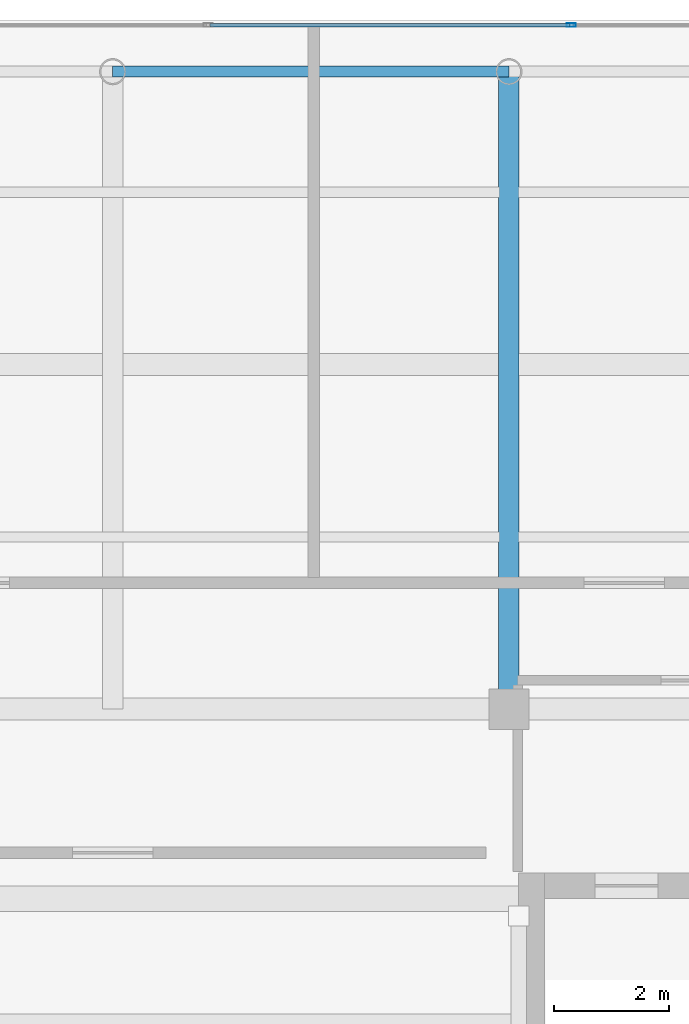
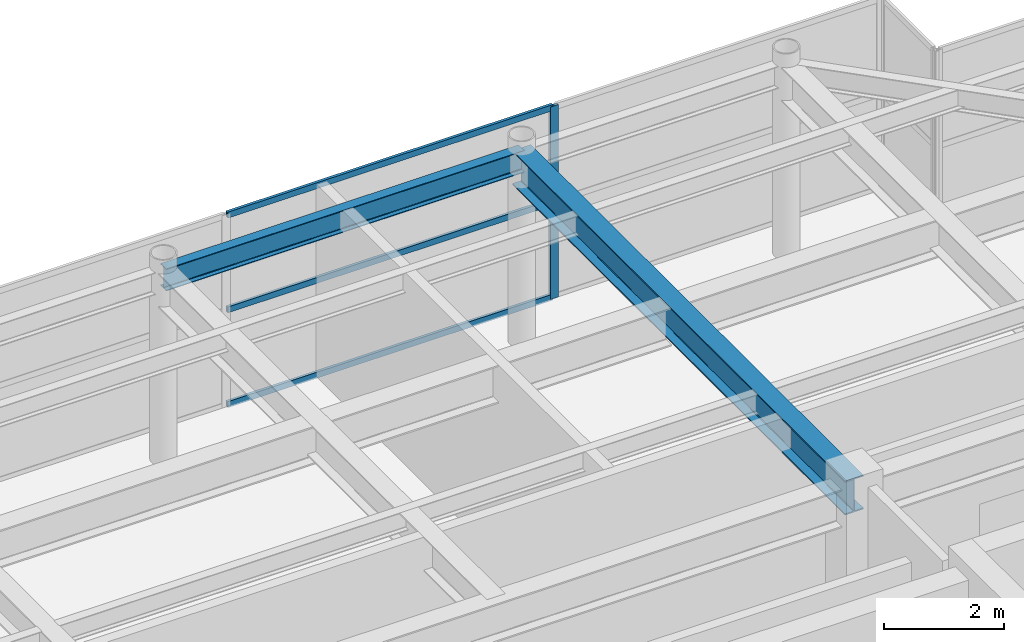
# One storey, part 26 of 32: 4 members, 2 beams, 1 element without a shape of its own.
"""IFC4 building model written with IfcOpenShell, lengths in metres."""

from ifc_helpers import new_model, si_unit, direction, frame, origin, origin_2d, place, context, subcontext, project, spatial, hollow_rectangle, i_section, extrude, source, transform, mapped, material, layer, layer_set, material_profile, profile_set, type_object, element, aggregate, save


model = new_model("IFC4")

# Units and contexts
model_context = context("Model", 3, precision=1e-05, world=origin(), true_north=direction((0.0, 1.0)))
body_context = subcontext(model_context, "Body", "Model", "MODEL_VIEW")
ifc_project = project(units=[si_unit("LENGTHUNIT", "METRE"), si_unit("AREAUNIT", "SQUARE_METRE"), si_unit("VOLUMEUNIT", "CUBIC_METRE"), si_unit("PLANEANGLEUNIT", "RADIAN"), si_unit("MASSUNIT", "GRAM", prefix="KILO")], contexts=[model_context])

# Site, building, storey
site_placement = place(None, origin())
site = spatial("IfcSite", under=ifc_project, at=site_placement, CompositionType="ELEMENT")
building_placement = place(site_placement, origin())
building = spatial("IfcBuilding", under=site, at=building_placement, Name="Khoralis Quay Care Tower", CompositionType="ELEMENT")
storey_placement = place(building_placement, frame((0.0, 0.0, 310.5)))
storey = spatial("IfcBuildingStorey", under=building, at=storey_placement, Name="L81", CompositionType="ELEMENT", Elevation=310.5)

# Beams
ifc_material_1 = material(Name="Steel S355", Category="steel")
ifc_material_profile_1 = material_profile(ifc_material_1, i_section(OverallWidth=0.18994140625, OverallDepth=0.449951171875, WebThickness=0.009521484375, FlangeThickness=0.0146484375, FilletRadius=0.02099609375, at=origin_2d()), Name="Steel S355")
ifc_profile_set_1 = profile_set([ifc_material_profile_1], Name="Steel S355")
beam_type_1 = type_object("IfcBeamType", Name="BM-IPE450", PredefinedType="SPANDREL", material=ifc_profile_set_1)
shared_shape_1 = source(origin(), body_context, "Body", "SweptSolid", [
    extrude(i_section(OverallWidth=0.18994140625, OverallDepth=0.449951171875, WebThickness=0.009521484375, FlangeThickness=0.0146484375, FilletRadius=0.02099609375, at=origin_2d()), origin(), (0.0, 0.0, 1.0), 6.89990234375),
])
beam_1_placement = place(storey_placement, frame((24.0, 41.10009765625, 3.695068359375), z_axis=(1.0, 0.0, 0.0), x_axis=(0.0, 1.0, 0.0)))
element("IfcBeam", 1, at=beam_1_placement, inside=storey, type_object=beam_type_1, Name="BM-TSP-L81-07", PredefinedType="SPANDREL", context=body_context, shape_type="MappedRepresentation", body=[
    mapped(shared_shape_1, transform((0.0, 0.0, 0.0), scale=1.0)),
])
ifc_material_profile_2 = material_profile(ifc_material_1, i_section(OverallWidth=0.35498046875, OverallDepth=0.695068359375, WebThickness=0.015380859375, FlangeThickness=0.02490234375, FilletRadius=0.02001953125, at=origin_2d()), Name="Steel S355")
ifc_profile_set_2 = profile_set([ifc_material_profile_2], Name="Steel S355")
beam_type_2 = type_object("IfcBeamType", Name="BM-W690X217", PredefinedType="BEAM", material=ifc_profile_set_2)
shared_shape_2 = source(origin(), body_context, "Body", "SweptSolid", [
    extrude(i_section(OverallWidth=0.35498046875, OverallDepth=0.695068359375, WebThickness=0.015380859375, FlangeThickness=0.02490234375, FilletRadius=0.02001953125, at=origin_2d()), origin(), (0.0, 0.0, 1.0), 11.10009765625),
])
beam_2_placement = place(storey_placement, frame((30.89990234375, 30.0, 3.572509765625), z_axis=(0.0, 1.0, 0.0), x_axis=(-1.0, 0.0, 0.0)))
element("IfcBeam", 2, at=beam_2_placement, inside=storey, type_object=beam_type_2, Name="BM-TGYN-L81-309", PredefinedType="BEAM", context=body_context, shape_type="MappedRepresentation", body=[
    mapped(shared_shape_2, transform((0.0, 0.0, 0.0), scale=1.0)),
])

# Curtain wall, members
ifc_material_2 = material(Name="Pale anodised aluminium", Category="aluminium")
ifc_layer = layer(ifc_material_2, 0.199951171875)
ifc_layer_set = layer_set([ifc_layer], Name="Pale anodised aluminium")
curtain_wall_type = type_object("IfcCurtainWallType", Name="CW-SYS-LANTERN", PredefinedType="NOTDEFINED", material=ifc_layer_set)
curtain_wall_placement = place(storey_placement, origin())
curtain_wall = element("IfcCurtainWall", 3, at=curtain_wall_placement, inside=storey, type_object=curtain_wall_type, Name="L81 Unitised Curtain Wall CW-LN-L81-11", PredefinedType="NOTDEFINED")
ifc_material_profile_3 = material_profile(ifc_material_2, hollow_rectangle(XDim=0.054931640625, YDim=0.1201171875, WallThickness=0.00390625, at=origin_2d()), Name="Pale anodised aluminium")
ifc_profile_set_3 = profile_set([ifc_material_profile_3], Name="Pale anodised aluminium")
member_type_1 = type_object("IfcMemberType", Name="CW-TRN-120", PredefinedType="USERDEFINED", material=ifc_profile_set_3)
shared_shape_3 = source(origin(), body_context, "Body", "SweptSolid", [
    extrude(hollow_rectangle(XDim=0.054931640625, YDim=0.1201171875, WallThickness=0.00390625, at=origin_2d()), origin(), (0.0, 0.0, 1.0), 6.26416015625),
])
member_1_placement = place(storey_placement, frame((31.9560546875, 41.909912109375, 0.030029296875), z_axis=(-1.0, 0.0, 0.0), x_axis=(0.0, -1.0, 0.0)))
member_1 = element("IfcMember", 4, at=member_1_placement, type_object=member_type_1, Name="CW5 transom 2.1", ObjectType="TRANSOM", PredefinedType="USERDEFINED", context=body_context, shape_type="MappedRepresentation", body=[
    mapped(shared_shape_3, transform((0.0, 0.0, 0.0), scale=1.0)),
])
member_2_placement = place(storey_placement, frame((31.9560546875, 41.909912109375, 1.9599609375), z_axis=(-1.0, 0.0, 0.0), x_axis=(0.0, -1.0, 0.0)))
member_2 = element("IfcMember", 5, at=member_2_placement, type_object=member_type_1, Name="CW5 transom 2.2", ObjectType="TRANSOM", PredefinedType="USERDEFINED", context=body_context, shape_type="MappedRepresentation", body=[
    mapped(shared_shape_3, transform((0.0, 0.0, 0.0), scale=1.0)),
])
member_3_placement = place(storey_placement, frame((31.9560546875, 41.909912109375, 3.889892578125), z_axis=(-1.0, 0.0, 0.0), x_axis=(0.0, -1.0, 0.0)))
member_3 = element("IfcMember", 6, at=member_3_placement, type_object=member_type_1, Name="CW5 transom 2.3", ObjectType="TRANSOM", PredefinedType="USERDEFINED", context=body_context, shape_type="MappedRepresentation", body=[
    mapped(shared_shape_3, transform((0.0, 0.0, 0.0), scale=1.0)),
])
ifc_material_profile_4 = material_profile(ifc_material_2, hollow_rectangle(XDim=0.06005859375, YDim=0.159912109375, WallThickness=0.00390625, at=origin_2d()), Name="Pale anodised aluminium")
ifc_profile_set_4 = profile_set([ifc_material_profile_4], Name="Pale anodised aluminium")
member_type_2 = type_object("IfcMemberType", Name="CW-MUL-160", PredefinedType="MULLION", material=ifc_profile_set_4)
shared_shape_4 = source(origin(), body_context, "Body", "SweptSolid", [
    extrude(hollow_rectangle(XDim=0.06005859375, YDim=0.159912109375, WallThickness=0.00390625, at=origin_2d()), origin(), (0.0, 0.0, 1.0), 3.919921875),
])
member_4_placement = place(storey_placement, frame((31.986083984375, 41.909912109375, 0.0), z_axis=(0.0, 0.0, 1.0), x_axis=(0.0, -1.0, 0.0)))
member_4 = element("IfcMember", 7, at=member_4_placement, type_object=member_type_2, Name="CW5 mullion 2", PredefinedType="MULLION", context=body_context, shape_type="MappedRepresentation", body=[
    mapped(shared_shape_4, transform((0.0, 0.0, 0.0), scale=1.0)),
])
aggregate(curtain_wall, [member_4, member_1, member_2, member_3])

save(model, "model.ifc")
